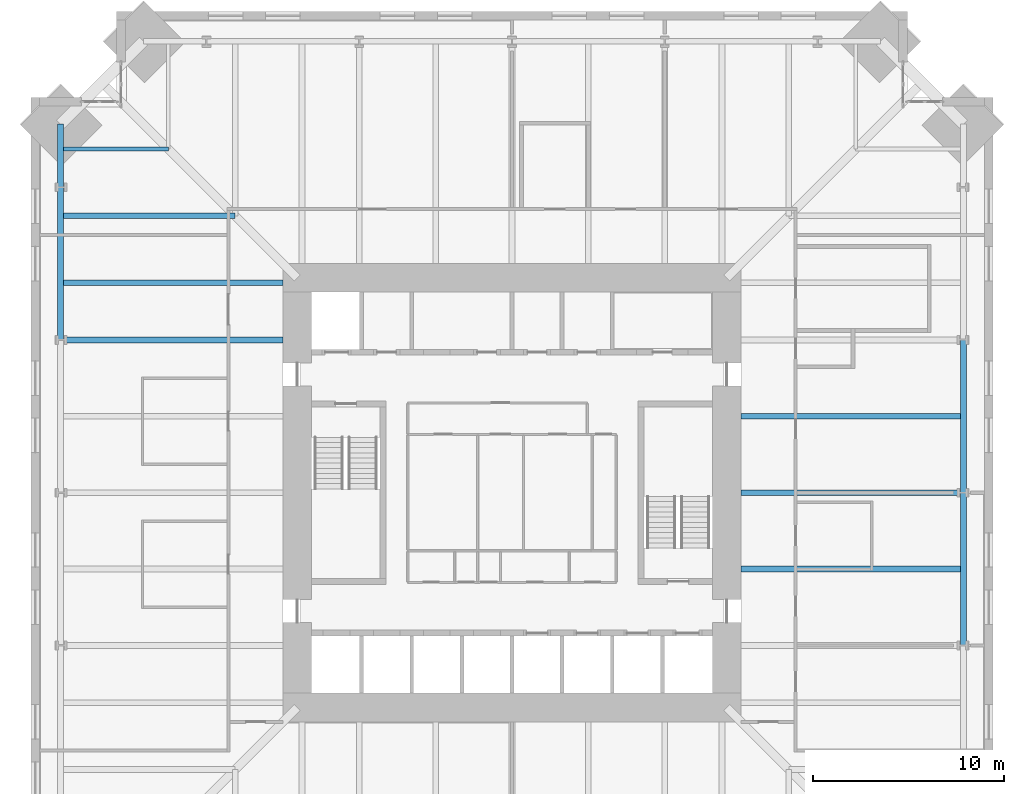
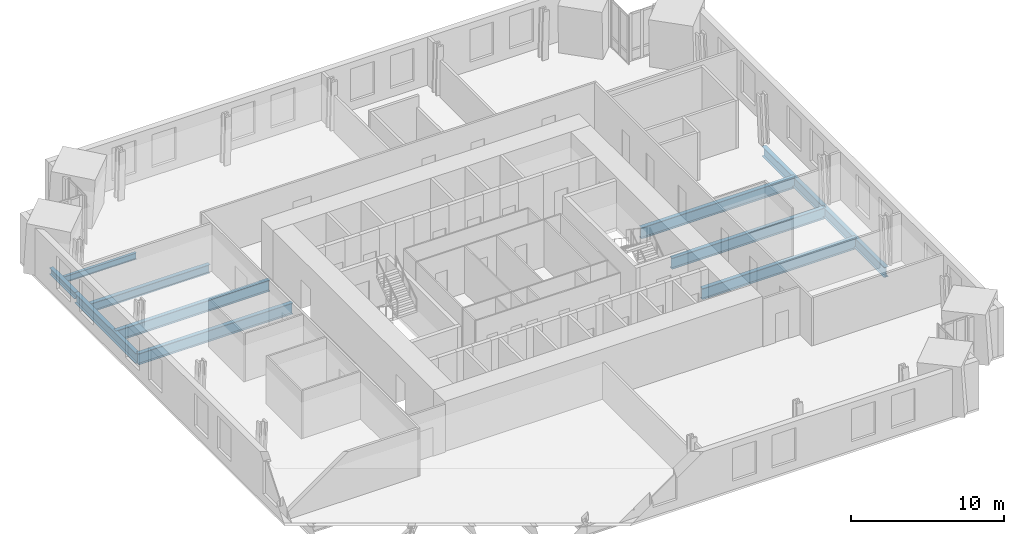
# One storey, part 5 of 15: 11 beams.
"""IFC4 building model written with IfcOpenShell, lengths in metres."""

from ifc_helpers import new_model, si_unit, direction, frame, origin, origin_2d, place, context, subcontext, project, spatial, i_section, extrude, material, material_profile, profile_set, type_object, element, save


model = new_model("IFC4")

# Units and contexts
model_context = context("Model", 3, precision=1e-05, world=origin(), true_north=direction((0.0, 1.0)))
body_context = subcontext(model_context, "Body", "Model", "MODEL_VIEW")
ifc_project = project(units=[si_unit("LENGTHUNIT", "METRE"), si_unit("AREAUNIT", "SQUARE_METRE"), si_unit("VOLUMEUNIT", "CUBIC_METRE"), si_unit("PLANEANGLEUNIT", "RADIAN"), si_unit("MASSUNIT", "GRAM", prefix="KILO")], contexts=[model_context])

# Site, building, storey
site_placement = place(None, origin())
site = spatial("IfcSite", under=ifc_project, at=site_placement, CompositionType="ELEMENT")
building_placement = place(site_placement, origin())
building = spatial("IfcBuilding", under=site, at=building_placement, Name="Peilmerk Tower", CompositionType="ELEMENT")
storey_placement = place(building_placement, frame((0.0, 0.0, 179.800048828125)))
storey = spatial("IfcBuildingStorey", under=building, at=storey_placement, Name="L38", CompositionType="ELEMENT", Elevation=179.800048828125)

# Beams
ifc_material = material(Name="Steel S355", Category="steel")
ifc_material_profile_1 = material_profile(ifc_material, i_section(OverallWidth=0.302978515625, OverallDepth=0.81396484375, WebThickness=0.02099609375, FlangeThickness=0.0400390625, at=origin_2d()), Name="HEM 800")
ifc_profile_set_1 = profile_set([ifc_material_profile_1], Name="Steel S355")
beam_type_1 = type_object("IfcBeamType", Name="B15 HEM 800 edge beam", PredefinedType="SPANDREL", material=ifc_profile_set_1)
for number, where, z_axis, x_axis, name in (
    (1, (23.646728515625, -8.0, -0.5771484375), (0.0, 1.0, 0.0), (-1.0, 0.0, 0.0), "Edge beam L38"),
    (2, (23.646728515625, 0.0, -0.5771484375), (0.0, 1.0, 0.0), (-1.0, 0.0, 0.0), "Edge beam L38"),
    (3, (-23.646728515625, 16.0, -0.5771484375), (0.0, -1.0, 0.0), (1.0, 0.0, 0.0), "Edge beam L38"),
):
    element("IfcBeam", number, at=place(storey_placement, frame(where, z_axis=z_axis, x_axis=x_axis)), inside=storey, type_object=beam_type_1, Name=name, PredefinedType="SPANDREL", context=body_context, shape_type="SweptSolid", body=[
        extrude(i_section(OverallWidth=0.302978515625, OverallDepth=0.81396484375, WebThickness=0.02099609375, FlangeThickness=0.0400390625, at=origin_2d()), origin(), (0.0, 0.0, 1.0), 8.0),
    ])
ifc_material_profile_2 = material_profile(ifc_material, i_section(OverallWidth=0.300048828125, OverallDepth=0.68994140625, WebThickness=0.014404296875, FlangeThickness=0.027099609375, at=origin_2d()), Name="HEA 700")
ifc_profile_set_2 = profile_set([ifc_material_profile_2], Name="Steel S355")
beam_type_2 = type_object("IfcBeamType", Name="B16 HEA 700 floor beam", PredefinedType="BEAM", material=ifc_profile_set_2)
beam_1_placement = place(storey_placement, frame((-14.5, 14.5, -0.51513671875), z_axis=(-1.0, 0.0, 0.0), x_axis=(0.0, -1.0, 0.0)))
element("IfcBeam", 4, at=beam_1_placement, inside=storey, type_object=beam_type_2, Name="Floor beam L38", PredefinedType="BEAM", context=body_context, shape_type="SweptSolid", body=[
    extrude(i_section(OverallWidth=0.300048828125, OverallDepth=0.68994140625, WebThickness=0.014404296875, FlangeThickness=0.027099609375, at=origin_2d()), origin(), (0.0, 0.0, 1.0), 9.146728515625),
])
ifc_material_profile_3 = material_profile(ifc_material, i_section(OverallWidth=0.199951171875, OverallDepth=0.5, WebThickness=0.01025390625, FlangeThickness=0.01611328125, at=origin_2d()), Name="IPE 500")
ifc_profile_set_3 = profile_set([ifc_material_profile_3], Name="Steel S355")
beam_type_3 = type_object("IfcBeamType", Name="B32 IPE 500 floor beam", PredefinedType="BEAM", material=ifc_profile_set_3)
beam_2_placement = place(storey_placement, frame((-18.0, 18.0, -0.420166015625), z_axis=(-1.0, 0.0, 0.0), x_axis=(0.0, -1.0, 0.0)))
element("IfcBeam", 5, at=beam_2_placement, inside=storey, type_object=beam_type_3, Name="Floor beam L38", PredefinedType="BEAM", context=body_context, shape_type="SweptSolid", body=[
    extrude(i_section(OverallWidth=0.199951171875, OverallDepth=0.5, WebThickness=0.01025390625, FlangeThickness=0.01611328125, at=origin_2d()), origin(), (0.0, 0.0, 1.0), 5.646728515625),
])
ifc_material_profile_4 = material_profile(ifc_material, i_section(OverallWidth=0.305908203125, OverallDepth=0.52392578125, WebThickness=0.02099609375, FlangeThickness=0.0400390625, at=origin_2d()), Name="HEM 500")
ifc_profile_set_4 = profile_set([ifc_material_profile_4], Name="Steel S355")
beam_type_4 = type_object("IfcBeamType", Name="B33 HEM 500 edge beam", PredefinedType="SPANDREL", material=ifc_profile_set_4)
beam_3_placement = place(storey_placement, frame((-23.646728515625, 19.296875, -0.43212890625), z_axis=(0.0, -1.0, 0.0), x_axis=(1.0, 0.0, 0.0)))
element("IfcBeam", 6, at=beam_3_placement, inside=storey, type_object=beam_type_4, Name="Edge beam L38", PredefinedType="SPANDREL", context=body_context, shape_type="SweptSolid", body=[
    extrude(i_section(OverallWidth=0.305908203125, OverallDepth=0.52392578125, WebThickness=0.02099609375, FlangeThickness=0.0400390625, at=origin_2d()), origin(), (0.0, 0.0, 1.0), 3.296875),
])
ifc_material_profile_5 = material_profile(ifc_material, i_section(OverallWidth=0.300048828125, OverallDepth=0.889892578125, WebThickness=0.01611328125, FlangeThickness=0.030029296875, at=origin_2d()), Name="HEA 900")
ifc_profile_set_5 = profile_set([ifc_material_profile_5], Name="Steel S355")
beam_type_5 = type_object("IfcBeamType", Name="B4 HEA 900 floor beam", PredefinedType="BEAM", material=ifc_profile_set_5)
for number, where, z_axis, x_axis, name in (
    (7, (12.0, -4.0, -0.614990234375), (1.0, 0.0, 0.0), (0.0, 1.0, 0.0), "Floor beam L38"),
    (8, (12.0, 0.0, -0.614990234375), (1.0, 0.0, 0.0), (0.0, 1.0, 0.0), "Floor beam L38"),
    (9, (12.0, 4.0, -0.614990234375), (1.0, 0.0, 0.0), (0.0, 1.0, 0.0), "Floor beam L38"),
    (10, (-12.0, 11.0, -0.614990234375), (-1.0, 0.0, 0.0), (0.0, -1.0, 0.0), "Floor beam L38"),
    (11, (-12.0, 8.0, -0.614990234375), (-1.0, 0.0, 0.0), (0.0, -1.0, 0.0), "Floor beam L38"),
):
    element("IfcBeam", number, at=place(storey_placement, frame(where, z_axis=z_axis, x_axis=x_axis)), inside=storey, type_object=beam_type_5, Name=name, PredefinedType="BEAM", context=body_context, shape_type="SweptSolid", body=[
        extrude(i_section(OverallWidth=0.300048828125, OverallDepth=0.889892578125, WebThickness=0.01611328125, FlangeThickness=0.030029296875, at=origin_2d()), origin(), (0.0, 0.0, 1.0), 11.646728515625),
    ])

save(model, "model.ifc")
